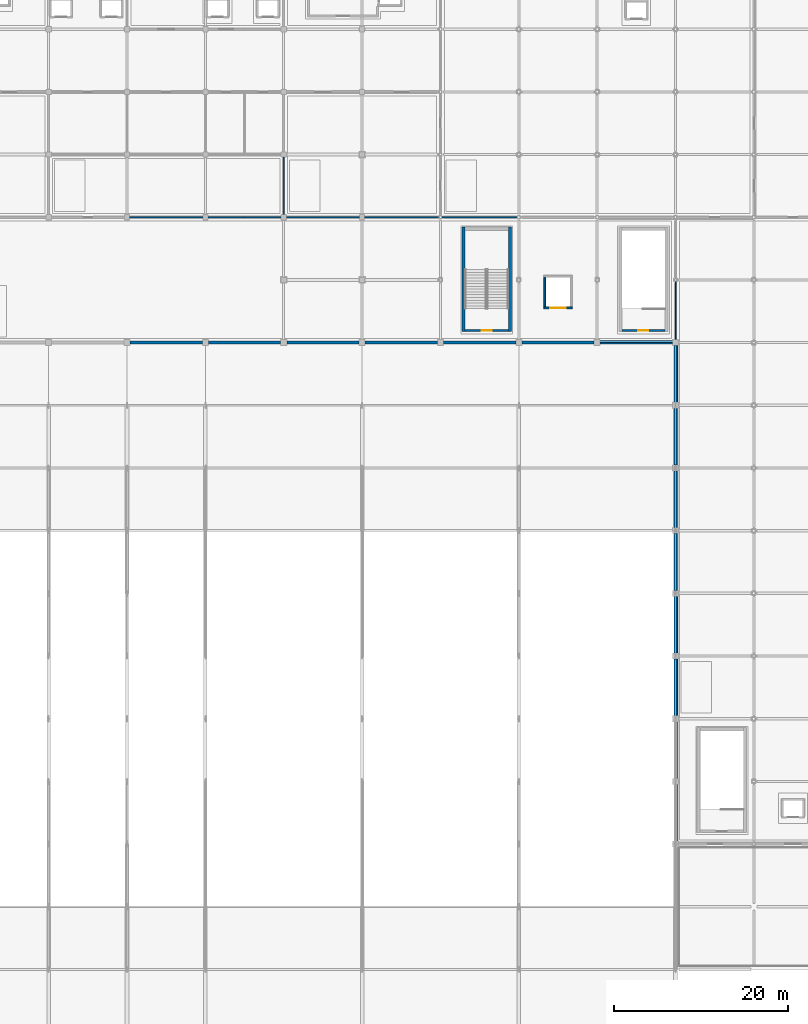
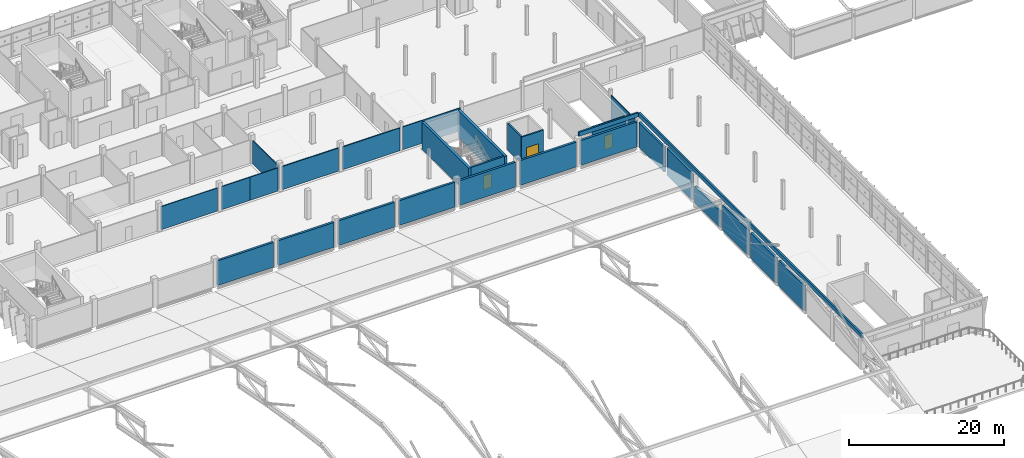
# One storey, part 101 of 124: 29 walls, 3 doors, 3 openings.
"""IFC4 building model written with IfcOpenShell, lengths in metres."""

from ifc_helpers import new_model, si_unit, direction, frame, frame_2d, origin, place, context, subcontext, project, spatial, rectangle, extrude, material, layer, layer_set, type_object, element, fill, save


model = new_model("IFC4")

# Units and contexts
model_context = context("Model", 3, precision=1e-05, world=origin(), true_north=direction((0.0, 1.0)))
body_context = subcontext(model_context, "Body", "Model", "MODEL_VIEW")
ifc_project = project(units=[si_unit("LENGTHUNIT", "METRE"), si_unit("AREAUNIT", "SQUARE_METRE"), si_unit("VOLUMEUNIT", "CUBIC_METRE"), si_unit("PLANEANGLEUNIT", "RADIAN"), si_unit("MASSUNIT", "GRAM", prefix="KILO")], contexts=[model_context])

# Site, building, storey
site_placement = place(None, origin())
site = spatial("IfcSite", under=ifc_project, at=site_placement, CompositionType="ELEMENT")
building_placement = place(site_placement, origin())
building = spatial("IfcBuilding", under=site, at=building_placement, Name="Celestram Park Convention Centre", CompositionType="ELEMENT")
storey_placement = place(building_placement, frame((0.0, 0.0, 15.300048828125)))
storey = spatial("IfcBuildingStorey", under=building, at=storey_placement, Name="L03", CompositionType="ELEMENT", Elevation=15.300048828125)

# Wall, opening, door
ifc_material_1 = material(Name="Concrete Block Masonry C25/30", Category="masonry")
ifc_layer_1 = layer(ifc_material_1, 0.25)
ifc_layer_set_1 = layer_set([ifc_layer_1], Name="Concrete Block Masonry C25/30")
wall_type_1 = type_object("IfcWallType", Name="ARC-WL-COR250", PredefinedType="STANDARD", material=ifc_layer_set_1)
wall_1_placement = place(storey_placement, frame((101.840087890625, 109.375, 0.0), z_axis=(0.0, 0.0, 1.0), x_axis=(1.0, 0.0, 0.0)))
wall_1 = element("IfcWall", 1, at=wall_1_placement, inside=storey, type_object=wall_type_1, Name="Core C3 stair entrance wall", PredefinedType="STANDARD", context=body_context, shape_type="SweptSolid", body=[
    extrude(rectangle(XDim=4.9599609375, YDim=0.25, at=frame_2d((2.47998046875, 0.0))), origin(), (0.0, 0.0, 1.0), 4.25),
])
opening_1_placement = place(wall_1_placement, frame((1.905029296875, 0.0, 0.0)))
opening_1 = element("IfcOpeningElement", 2, at=opening_1_placement, cuts=wall_1, Name="Opening D-ST1", PredefinedType="OPENING", context=body_context, shape_type="SweptSolid", body=[
    extrude(rectangle(XDim=1.14990234375, YDim=2.199951171875, at=frame_2d((0.574951171875, 1.10009765625))), frame((0.0, 0.135009765625, 0.0), z_axis=(0.0, -1.0, 0.0), x_axis=(1.0, 0.0, 0.0)), (0.0, 0.0, 1.0), 0.27001953125),
])
ifc_material_2 = material(Name="Fire-Rated Hollow Metal Steel ASTM A653", Category="steel")
door_type_1 = type_object("IfcDoorType", Name="ARC-DR-ST115", OperationType="NOTDEFINED", PredefinedType="DOOR", material=ifc_material_2)
door_1_placement = place(opening_1_placement, origin())
door_1 = element("IfcDoor", 3, at=door_1_placement, inside=storey, type_object=door_type_1, Name="Exit stair ST-03 fire door", OperationType="SINGLE_SWING_LEFT", OverallHeight=2.199951171875, OverallWidth=1.14990234375, PredefinedType="DOOR", context=body_context, shape_type="SweptSolid", body=[
    extrude(rectangle(XDim=1.14990234375, YDim=2.199951171875, at=frame_2d((0.574951171875, 1.10009765625))), frame((0.0, 0.02490234375, 0.0), z_axis=(0.0, -1.0, 0.0), x_axis=(1.0, 0.0, 0.0)), (0.0, 0.0, 1.0), 0.050048828125),
])
fill(opening_1, door_1)

wall_2_placement = place(storey_placement, frame((119.840087890625, 109.375, 0.0), z_axis=(0.0, 0.0, 1.0), x_axis=(1.0, 0.0, 0.0)))
wall_2 = element("IfcWall", 4, at=wall_2_placement, inside=storey, type_object=wall_type_1, Name="Core S20 stair entrance wall", PredefinedType="STANDARD", context=body_context, shape_type="SweptSolid", body=[
    extrude(rectangle(XDim=4.9599609375, YDim=0.25, at=frame_2d((2.47998046875, 0.0))), origin(), (0.0, 0.0, 1.0), 4.25),
])
opening_2_placement = place(wall_2_placement, frame((1.905029296875, 0.0, 0.0)))
opening_2 = element("IfcOpeningElement", 5, at=opening_2_placement, cuts=wall_2, Name="Opening D-ST1", PredefinedType="OPENING", context=body_context, shape_type="SweptSolid", body=[
    extrude(rectangle(XDim=1.14990234375, YDim=2.199951171875, at=frame_2d((0.574951171875, 1.10009765625))), frame((0.0, 0.135009765625, 0.0), z_axis=(0.0, -1.0, 0.0), x_axis=(1.0, 0.0, 0.0)), (0.0, 0.0, 1.0), 0.27001953125),
])
door_2_placement = place(opening_2_placement, origin())
door_2 = element("IfcDoor", 6, at=door_2_placement, inside=storey, type_object=door_type_1, Name="Exit stair ST-20 fire door", OperationType="SINGLE_SWING_LEFT", OverallHeight=2.199951171875, OverallWidth=1.14990234375, PredefinedType="DOOR", context=body_context, shape_type="SweptSolid", body=[
    extrude(rectangle(XDim=1.14990234375, YDim=2.199951171875, at=frame_2d((0.574951171875, 1.10009765625))), frame((0.0, 0.02490234375, 0.0), z_axis=(0.0, -1.0, 0.0), x_axis=(1.0, 0.0, 0.0)), (0.0, 0.0, 1.0), 0.050048828125),
])
fill(opening_2, door_2)

# Walls
ifc_material_3 = material(Name="Precast Concrete C40/50", Category="concrete")
ifc_layer_2 = layer(ifc_material_3, 0.320068359375)
ifc_layer_set_2 = layer_set([ifc_layer_2], Name="Precast Concrete C40/50")
wall_type_2 = type_object("IfcWallType", Name="ARC-WL-EXT320", PredefinedType="STANDARD", material=ifc_layer_set_2)
for number, where, z_axis, x_axis, name in (
    (7, (126.0, 65.14794921875, 0.0), (0.0, 0.0, 1.0), (0.0, 1.0, 0.0), "Bush-hammered precast exterior wall WL-L03-EW173"),
    (8, (126.0, 72.347900390625, 0.0), (0.0, 0.0, 1.0), (0.0, 1.0, 0.0), "Bush-hammered precast exterior wall WL-L03-EW174"),
):
    element("IfcWall", number, at=place(storey_placement, frame(where, z_axis=z_axis, x_axis=x_axis)), inside=storey, type_object=wall_type_2, Name=name, PredefinedType="STANDARD", context=body_context, shape_type="SweptSolid", body=[
        extrude(rectangle(XDim=6.504150390625, YDim=0.320068359375, at=frame_2d((3.251953125, 0.0))), origin(), (0.0, 0.0, 1.0), 4.010009765625),
    ])
wall_3_placement = place(storey_placement, frame((126.0, 79.548095703125, 0.0), z_axis=(0.0, 0.0, 1.0), x_axis=(0.0, 1.0, 0.0)))
element("IfcWall", 9, at=wall_3_placement, inside=storey, type_object=wall_type_2, Name="Bush-hammered precast exterior wall WL-L03-EW175", PredefinedType="STANDARD", context=body_context, shape_type="SweptSolid", body=[
    extrude(rectangle(XDim=6.50390625, YDim=0.320068359375, at=frame_2d((3.251953125, 0.0))), origin(), (0.0, 0.0, 1.0), 4.010009765625),
])
wall_4_placement = place(storey_placement, frame((126.0, 86.748046875, 0.0), z_axis=(0.0, 0.0, 1.0), x_axis=(0.0, 1.0, 0.0)))
element("IfcWall", 10, at=wall_4_placement, inside=storey, type_object=wall_type_2, Name="Bush-hammered precast exterior wall WL-L03-EW176", PredefinedType="STANDARD", context=body_context, shape_type="SweptSolid", body=[
    extrude(rectangle(XDim=6.50390625, YDim=0.320068359375, at=frame_2d((3.251953125, 0.0))), origin(), (0.0, 0.0, 1.0), 2.5966796875),
])
wall_5_placement = place(storey_placement, frame((126.0, 93.947998046875, 0.0), z_axis=(0.0, 0.0, 1.0), x_axis=(0.0, 1.0, 0.0)))
element("IfcWall", 11, at=wall_5_placement, inside=storey, type_object=wall_type_2, Name="Bush-hammered precast exterior wall WL-L03-EW177", PredefinedType="STANDARD", context=body_context, shape_type="SweptSolid", body=[
    extrude(rectangle(XDim=6.50390625, YDim=0.320068359375, at=frame_2d((3.251953125, 0.0))), origin(), (0.0, 0.0, 1.0), 4.25),
])
wall_6_placement = place(storey_placement, frame((126.0, 101.14794921875, 0.0), z_axis=(0.0, 0.0, 1.0), x_axis=(0.0, 1.0, 0.0)))
element("IfcWall", 12, at=wall_6_placement, inside=storey, type_object=wall_type_2, Name="Bush-hammered precast exterior wall WL-L03-EW178", PredefinedType="STANDARD", context=body_context, shape_type="SweptSolid", body=[
    extrude(rectangle(XDim=6.504150390625, YDim=0.320068359375, at=frame_2d((3.251953125, 0.0))), origin(), (0.0, 0.0, 1.0), 3.904052734375),
])
wall_7_placement = place(storey_placement, frame((125.652099609375, 108.0, 0.0), z_axis=(0.0, 0.0, 1.0), x_axis=(-1.0, 0.0, 0.0)))
element("IfcWall", 13, at=wall_7_placement, inside=storey, type_object=wall_type_2, Name="Bush-hammered precast exterior wall WL-L03-EW179", PredefinedType="STANDARD", context=body_context, shape_type="SweptSolid", body=[
    extrude(rectangle(XDim=8.30419921875, YDim=0.320068359375, at=frame_2d((4.152099609375, 0.0))), origin(), (0.0, 0.0, 1.0), 3.904052734375),
])
for number, where, z_axis, x_axis, name in (
    (14, (116.652099609375, 108.0, 0.0), (0.0, 0.0, 1.0), (-1.0, 0.0, 0.0), "Bush-hammered precast exterior wall WL-L03-EW180"),
    (15, (107.652099609375, 108.0, 0.0), (0.0, 0.0, 1.0), (-1.0, 0.0, 0.0), "Bush-hammered precast exterior wall WL-L03-EW181"),
    (16, (98.652099609375, 108.0, 0.0), (0.0, 0.0, 1.0), (-1.0, 0.0, 0.0), "Bush-hammered precast exterior wall WL-L03-EW182"),
    (17, (89.652099609375, 108.0, 0.0), (0.0, 0.0, 1.0), (-1.0, 0.0, 0.0), "Bush-hammered precast exterior wall WL-L03-EW183"),
    (18, (80.652099609375, 108.0, 0.0), (0.0, 0.0, 1.0), (-1.0, 0.0, 0.0), "Bush-hammered precast exterior wall WL-L03-EW184"),
    (19, (71.652099609375, 108.0, 0.0), (0.0, 0.0, 1.0), (-1.0, 0.0, 0.0), "Bush-hammered precast exterior wall WL-L03-EW185"),
):
    element("IfcWall", number, at=place(storey_placement, frame(where, z_axis=z_axis, x_axis=x_axis)), inside=storey, type_object=wall_type_2, Name=name, PredefinedType="STANDARD", context=body_context, shape_type="SweptSolid", body=[
        extrude(rectangle(XDim=8.30419921875, YDim=0.320068359375, at=frame_2d((4.152099609375, 0.0))), origin(), (0.0, 0.0, 1.0), 3.89404296875),
    ])
ifc_layer_3 = layer(ifc_material_3, 0.239990234375)
ifc_layer_set_3 = layer_set([ifc_layer_3], Name="Precast Concrete C40/50")
wall_type_3 = type_object("IfcWallType", Name="ARC-WL-PAR240", PredefinedType="PARAPET", material=ifc_layer_set_3)
wall_8_placement = place(storey_placement, frame((126.0, 108.139892578125, 4.5), z_axis=(0.0, 0.0, 1.0), x_axis=(-1.0, 0.0, 0.0)))
element("IfcWall", 20, at=wall_8_placement, inside=storey, type_object=wall_type_3, Name="Flat roof parapet WL-L03-PR01", PredefinedType="PARAPET", context=body_context, shape_type="SweptSolid", body=[
    extrude(rectangle(XDim=8.860107421875, YDim=0.239990234375, at=frame_2d((4.43017578125, 0.0))), origin(), (0.0, 0.0, 1.0), 0.64990234375),
])
wall_9_placement = place(storey_placement, frame((126.139892578125, 50.5400390625, 4.5), z_axis=(0.0, 0.0, 1.0), x_axis=(0.0, 1.0, 0.0)))
element("IfcWall", 21, at=wall_9_placement, inside=storey, type_object=wall_type_3, Name="Flat roof parapet WL-L03-PR10", PredefinedType="PARAPET", context=body_context, shape_type="SweptSolid", body=[
    extrude(rectangle(XDim=57.4599609375, YDim=0.239990234375, at=frame_2d((28.72998046875, 0.0))), origin(), (0.0, 0.0, 1.0), 0.64990234375),
])
ifc_material_4 = material(Name="Standard Gypsum & Steel Stud 120 mm", Category="steel")
ifc_layer_4 = layer(ifc_material_4, 0.1201171875)
ifc_layer_set_4 = layer_set([ifc_layer_4], Name="Standard Gypsum & Steel Stud 120 mm")
wall_type_4 = type_object("IfcWallType", Name="ARC-WL-PRT120", PredefinedType="PARTITIONING", material=ifc_layer_set_4)
wall_10_placement = place(storey_placement, frame((63.298095703125, 122.39990234375, 0.0), z_axis=(0.0, 0.0, 1.0), x_axis=(1.0, 0.0, 0.0)))
element("IfcWall", 22, at=wall_10_placement, inside=storey, type_object=wall_type_4, Name="Interior partition WL-L03-IN0882", PredefinedType="PARTITIONING", context=body_context, shape_type="SweptSolid", body=[
    extrude(rectangle(XDim=8.40380859375, YDim=0.1201171875, at=frame_2d((4.201904296875, 0.0))), origin(), (0.0, 0.0, 1.0), 3.637939453125),
])
for number, where, z_axis, x_axis, name in (
    (23, (72.298095703125, 122.39990234375, 0.0), (0.0, 0.0, 1.0), (1.0, 0.0, 0.0), "Interior partition WL-L03-IN0883"),
    (24, (76.5, 122.39990234375, 0.0), (0.0, 0.0, 1.0), (1.0, 0.0, 0.0), "Interior partition WL-L03-IN0884"),
):
    element("IfcWall", number, at=place(storey_placement, frame(where, z_axis=z_axis, x_axis=x_axis)), inside=storey, type_object=wall_type_4, Name=name, PredefinedType="PARTITIONING", context=body_context, shape_type="SweptSolid", body=[
        extrude(rectangle(XDim=4.201904296875, YDim=0.1201171875, at=frame_2d((2.10107421875, 0.0))), origin(), (0.0, 0.0, 1.0), 3.637939453125),
    ])
wall_11_placement = place(storey_placement, frame((99.173095703125, 122.39990234375, 0.0), z_axis=(0.0, 0.0, 1.0), x_axis=(1.0, 0.0, 0.0)))
element("IfcWall", 25, at=wall_11_placement, inside=storey, type_object=wall_type_4, Name="Interior partition WL-L03-IN0887", PredefinedType="PARTITIONING", context=body_context, shape_type="SweptSolid", body=[
    extrude(rectangle(XDim=8.65380859375, YDim=0.1201171875, at=frame_2d((4.326904296875, 0.0))), origin(), (0.0, 0.0, 1.0), 3.587890625),
])
wall_12_placement = place(storey_placement, frame((126.0, 108.347900390625, 0.0), z_axis=(0.0, 0.0, 1.0), x_axis=(0.0, 1.0, 0.0)))
element("IfcWall", 26, at=wall_12_placement, inside=storey, type_object=wall_type_4, Name="Interior partition WL-L03-IN0934", PredefinedType="PARTITIONING", context=body_context, shape_type="SweptSolid", body=[
    extrude(rectangle(XDim=6.67919921875, YDim=0.1201171875, at=frame_2d((3.339599609375, 0.0))), origin(), (0.0, 0.0, 1.0), 3.64794921875),
])
ifc_material_5 = material(Name="Acoustic Gypsum & Steel Stud 160 mm", Category="steel")
ifc_layer_5 = layer(ifc_material_5, 0.159912109375)
ifc_layer_set_5 = layer_set([ifc_layer_5], Name="Acoustic Gypsum & Steel Stud 160 mm")
wall_type_5 = type_object("IfcWallType", Name="ARC-WL-PRT160", PredefinedType="PARTITIONING", material=ifc_layer_set_5)
wall_13_placement = place(storey_placement, frame((81.298095703125, 122.39990234375, 0.0), z_axis=(0.0, 0.0, 1.0), x_axis=(1.0, 0.0, 0.0)))
element("IfcWall", 27, at=wall_13_placement, inside=storey, type_object=wall_type_5, Name="Interior partition WL-L03-IN0885", PredefinedType="PARTITIONING", context=body_context, shape_type="SweptSolid", body=[
    extrude(rectangle(XDim=8.40380859375, YDim=0.159912109375, at=frame_2d((4.201904296875, 0.0))), origin(), (0.0, 0.0, 1.0), 3.637939453125),
])
wall_14_placement = place(storey_placement, frame((90.298095703125, 122.39990234375, 0.0), z_axis=(0.0, 0.0, 1.0), x_axis=(1.0, 0.0, 0.0)))
element("IfcWall", 28, at=wall_14_placement, inside=storey, type_object=wall_type_5, Name="Interior partition WL-L03-IN0886", PredefinedType="PARTITIONING", context=body_context, shape_type="SweptSolid", body=[
    extrude(rectangle(XDim=8.52880859375, YDim=0.159912109375, at=frame_2d((4.264404296875, 0.0))), origin(), (0.0, 0.0, 1.0), 3.587890625),
])
wall_15_placement = place(storey_placement, frame((81.0, 122.697998046875, 0.0), z_axis=(0.0, 0.0, 1.0), x_axis=(0.0, 1.0, 0.0)))
element("IfcWall", 29, at=wall_15_placement, inside=storey, type_object=wall_type_5, Name="Interior partition WL-L03-IN0924", PredefinedType="PARTITIONING", context=body_context, shape_type="SweptSolid", body=[
    extrude(rectangle(XDim=6.60400390625, YDim=0.159912109375, at=frame_2d((3.302001953125, 0.0))), origin(), (0.0, 0.0, 1.0), 3.637939453125),
])

# Wall, opening, door
ifc_layer_6 = layer(ifc_material_1, 0.219970703125)
ifc_layer_set_6 = layer_set([ifc_layer_6], Name="Concrete Block Masonry C25/30")
wall_type_6 = type_object("IfcWallType", Name="ARC-WL-SHF220", PredefinedType="STANDARD", material=ifc_layer_set_6)
wall_16_placement = place(storey_placement, frame((110.8701171875, 111.97998046875, 0.0), z_axis=(0.0, 0.0, 1.0), x_axis=(1.0, 0.0, 0.0)))
wall_16 = element("IfcWall", 30, at=wall_16_placement, inside=storey, type_object=wall_type_6, Name="Lift LG-01 shaft wall S", PredefinedType="STANDARD", context=body_context, shape_type="SweptSolid", body=[
    extrude(rectangle(XDim=3.259765625, YDim=0.219970703125, at=frame_2d((1.6298828125, 0.0))), origin(), (0.0, 0.0, 1.0), 4.25),
])
opening_3_placement = place(wall_16_placement, frame((0.72998046875, 0.0, 0.0)))
opening_3 = element("IfcOpeningElement", 31, at=opening_3_placement, cuts=wall_16, Name="Opening LD-02", PredefinedType="OPENING", context=body_context, shape_type="SweptSolid", body=[
    extrude(rectangle(XDim=1.800048828125, YDim=2.35009765625, at=frame_2d((0.89990234375, 1.175048828125))), frame((0.0, 0.119873046875, 0.0), z_axis=(0.0, -1.0, 0.0), x_axis=(1.0, 0.0, 0.0)), (0.0, 0.0, 1.0), 0.239990234375),
])
ifc_material_6 = material(Name="Heavy-Duty Stainless Steel AISI 304", Category="steel")
door_type_2 = type_object("IfcDoorType", Name="ARC-DR-LFG180", OperationType="NOTDEFINED", PredefinedType="DOOR", material=ifc_material_6)
door_3_placement = place(opening_3_placement, origin())
door_3 = element("IfcDoor", 32, at=door_3_placement, inside=storey, type_object=door_type_2, Name="Lift LG-01 sliding landing door", OperationType="DOUBLE_DOOR_SLIDING", OverallHeight=2.35009765625, OverallWidth=1.800048828125, PredefinedType="DOOR", context=body_context, shape_type="SweptSolid", body=[
    extrude(rectangle(XDim=1.800048828125, YDim=2.35009765625, at=frame_2d((0.89990234375, 1.175048828125))), frame((0.0, 0.02490234375, 0.0), z_axis=(0.0, -1.0, 0.0), x_axis=(1.0, 0.0, 0.0)), (0.0, 0.0, 1.0), 0.050048828125),
])
fill(opening_3, door_3)

# Walls
wall_17_placement = place(storey_placement, frame((110.97998046875, 115.510009765625, 0.0), z_axis=(0.0, 0.0, 1.0), x_axis=(0.0, -1.0, 0.0)))
element("IfcWall", 33, at=wall_17_placement, inside=storey, type_object=wall_type_6, Name="Lift LG-01 shaft wall W", PredefinedType="STANDARD", context=body_context, shape_type="SweptSolid", body=[
    extrude(rectangle(XDim=3.419921875, YDim=0.219970703125, at=frame_2d((1.7099609375, 0.0))), origin(), (0.0, 0.0, 1.0), 4.25),
])
ifc_material_7 = material(Name="Concrete C40/50", Category="concrete")
ifc_layer_7 = layer(ifc_material_7, 0.3798828125)
ifc_layer_set_7 = layer_set([ifc_layer_7], Name="Concrete C40/50")
wall_type_7 = type_object("IfcWallType", Name="STR-WL-SHR380", PredefinedType="SHEAR", material=ifc_layer_set_7)
for number, where, z_axis, x_axis, name in (
    (34, (101.64990234375, 109.25, 0.0), (0.0, 0.0, 1.0), (0.0, 1.0, 0.0), "Core C3 shear wall L"),
    (35, (106.989990234375, 121.280029296875, 0.0), (0.0, 0.0, 1.0), (0.0, -1.0, 0.0), "Core C3 shear wall R"),
):
    element("IfcWall", number, at=place(storey_placement, frame(where, z_axis=z_axis, x_axis=x_axis)), inside=storey, type_object=wall_type_7, Name=name, PredefinedType="SHEAR", context=body_context, shape_type="SweptSolid", body=[
        extrude(rectangle(XDim=12.030029296875, YDim=0.3798828125, at=frame_2d((6.01513671875, 0.0))), origin(), (0.0, 0.0, 1.0), 4.25),
    ])

save(model, "model.ifc")
